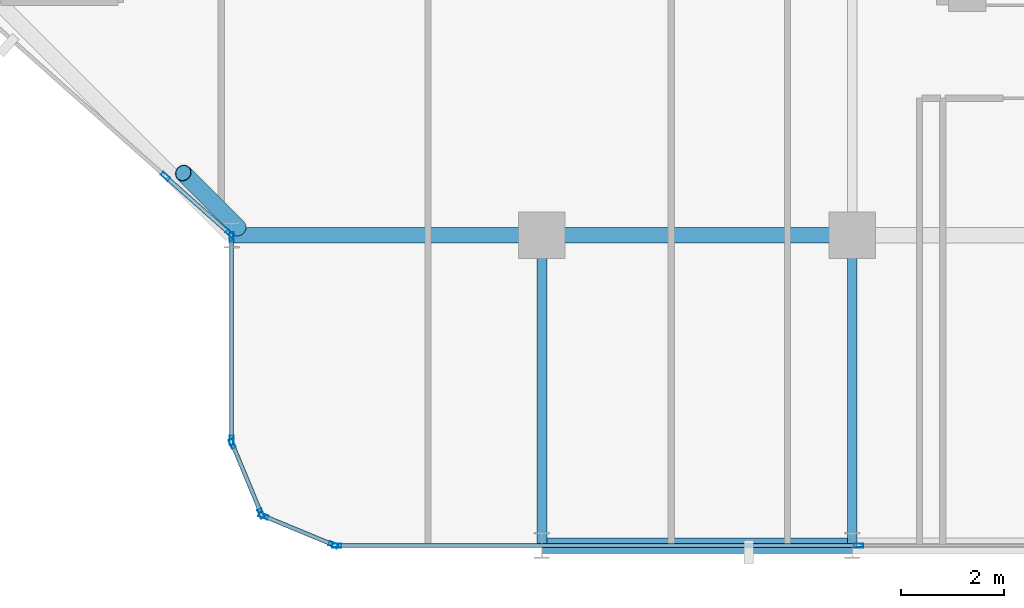
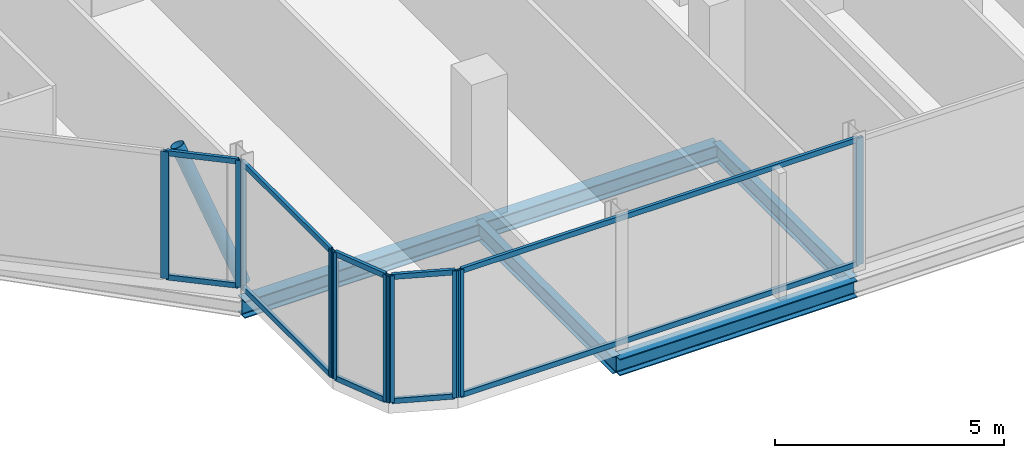
# One storey, part 5 of 31: 21 members, 5 beams, 5 elements without a shape of their own.
"""IFC4 building model written with IfcOpenShell, lengths in metres."""

from ifc_helpers import new_model, si_unit, direction, frame, origin, origin_2d, place, context, subcontext, project, spatial, hollow_rectangle, hollow_circle, i_section, extrude, material, layer, layer_set, material_profile, profile_set, type_object, element, aggregate, save


model = new_model("IFC4")

# Units and contexts
model_context = context("Model", 3, precision=1e-05, world=origin(), true_north=direction((0.0, 1.0)))
body_context = subcontext(model_context, "Body", "Model", "MODEL_VIEW")
ifc_project = project(units=[si_unit("LENGTHUNIT", "METRE"), si_unit("AREAUNIT", "SQUARE_METRE"), si_unit("VOLUMEUNIT", "CUBIC_METRE"), si_unit("PLANEANGLEUNIT", "RADIAN"), si_unit("MASSUNIT", "GRAM", prefix="KILO")], contexts=[model_context])

# Site, building, storey
site_placement = place(None, origin())
site = spatial("IfcSite", under=ifc_project, at=site_placement, CompositionType="ELEMENT")
building_placement = place(site_placement, origin())
building = spatial("IfcBuilding", under=site, at=building_placement, Name="Keshet Zoharim Tower", CompositionType="ELEMENT")
storey_placement = place(building_placement, frame((0.0, 0.0, 140.89990234375)))
storey = spatial("IfcBuildingStorey", under=building, at=storey_placement, Name="L34", CompositionType="ELEMENT", Elevation=140.89990234375)

# Beams
ifc_material_1 = material(Name="Steel S355", Category="steel")
ifc_material_profile_1 = material_profile(ifc_material_1, i_section(OverallWidth=0.18994140625, OverallDepth=0.449951171875, WebThickness=0.009521484375, FlangeThickness=0.0146484375, FilletRadius=0.02099609375, at=origin_2d()), Name="IPE450")
ifc_profile_set_1 = profile_set([ifc_material_profile_1], Name="Steel S355")
beam_type_1 = type_object("IfcBeamType", Name="BM-PRI-IP450", PredefinedType="BEAM", material=ifc_profile_set_1)
for number, where, z_axis, x_axis, name in (
    (1, (27.0, 0.699951171875, -0.539794921875), (0.0, 1.0, 0.0), (-1.0, 0.0, 0.0), "L34 Primary Girder Y-004"),
    (2, (33.0, 0.699951171875, -0.539794921875), (0.0, 1.0, 0.0), (-1.0, 0.0, 0.0), "L34 Primary Girder Y-005"),
):
    element("IfcBeam", number, at=place(storey_placement, frame(where, z_axis=z_axis, x_axis=x_axis)), inside=storey, type_object=beam_type_1, Name=name, PredefinedType="BEAM", context=body_context, shape_type="SweptSolid", body=[
        extrude(i_section(OverallWidth=0.18994140625, OverallDepth=0.449951171875, WebThickness=0.009521484375, FlangeThickness=0.0146484375, FilletRadius=0.02099609375, at=origin_2d()), origin(), (0.0, 0.0, 1.0), 6.0),
    ])
ifc_material_profile_2 = material_profile(ifc_material_1, i_section(OverallWidth=0.300048828125, OverallDepth=0.449951171875, WebThickness=0.013916015625, FlangeThickness=0.02587890625, FilletRadius=0.027099609375, at=origin_2d()), Name="HEB450")
ifc_profile_set_2 = profile_set([ifc_material_profile_2], Name="Steel S355")
beam_type_2 = type_object("IfcBeamType", Name="BM-WEB-HB450", PredefinedType="BEAM", material=ifc_profile_set_2)
for number, where, z_axis, x_axis, name in (
    (3, (27.0, 0.699951171875, -0.539794921875), (1.0, 0.0, 0.0), (0.0, 1.0, 0.0), "L34 Primary Girder X-001"),
    (4, (21.0, 6.699951171875, -0.539794921875), (1.0, 0.0, 0.0), (0.0, 1.0, 0.0), "L34 Primary Girder X-005"),
    (5, (27.0, 6.699951171875, -0.539794921875), (1.0, 0.0, 0.0), (0.0, 1.0, 0.0), "L34 Primary Girder X-006"),
):
    element("IfcBeam", number, at=place(storey_placement, frame(where, z_axis=z_axis, x_axis=x_axis)), inside=storey, type_object=beam_type_2, Name=name, PredefinedType="BEAM", context=body_context, shape_type="SweptSolid", body=[
        extrude(i_section(OverallWidth=0.300048828125, OverallDepth=0.449951171875, WebThickness=0.013916015625, FlangeThickness=0.02587890625, FilletRadius=0.027099609375, at=origin_2d()), origin(), (0.0, 0.0, 1.0), 6.0),
    ])

# Curtain wall, members
ifc_material_2 = material(Name="Aluminium 6063-T6", Category="aluminium")
ifc_layer = layer(ifc_material_2, 0.159912109375)
ifc_layer_set = layer_set([ifc_layer], Name="Aluminium 6063-T6")
curtain_wall_type = type_object("IfcCurtainWallType", Name="CW-SYS-03", PredefinedType="NOTDEFINED", material=ifc_layer_set)
curtain_wall_1_placement = place(storey_placement, origin())
curtain_wall_1 = element("IfcCurtainWall", 6, at=curtain_wall_1_placement, inside=storey, type_object=curtain_wall_type, Name="L34 Unitised Curtain Wall 03 Part 3", PredefinedType="NOTDEFINED")
ifc_material_profile_3 = material_profile(ifc_material_2, hollow_rectangle(XDim=0.080078125, YDim=0.179931640625, WallThickness=0.00439453125, at=origin_2d()), Name="MUL-80x180")
ifc_profile_set_3 = profile_set([ifc_material_profile_3], Name="Aluminium 6063-T6")
member_type_1 = type_object("IfcMemberType", Name="CWM-M18", PredefinedType="MULLION", material=ifc_profile_set_3)
member_1_placement = place(storey_placement, frame((33.1259765625, 0.699951171875, 0.0), z_axis=(0.0, 0.0, 1.0), x_axis=(0.0, -1.0, 0.0)))
member_1 = element("IfcMember", 7, at=member_1_placement, type_object=member_type_1, Name="CW-03 mullion 2", PredefinedType="MULLION", context=body_context, shape_type="SweptSolid", body=[
    extrude(hollow_rectangle(XDim=0.080078125, YDim=0.179931640625, WallThickness=0.00439453125, at=origin_2d()), origin(), (0.0, 0.0, 1.0), 3.385009765625),
])
member_2_placement = place(storey_placement, frame((23.034912109375, 0.699951171875, 0.0), z_axis=(0.0, 0.0, 1.0), x_axis=(0.0, -1.0, 0.0)))
member_2 = element("IfcMember", 8, at=member_2_placement, type_object=member_type_1, Name="CW-03 mullion 3", PredefinedType="MULLION", context=body_context, shape_type="SweptSolid", body=[
    extrude(hollow_rectangle(XDim=0.080078125, YDim=0.179931640625, WallThickness=0.00439453125, at=origin_2d()), origin(), (0.0, 0.0, 1.0), 3.385009765625),
])

curtain_wall_2_placement = place(storey_placement, origin())
curtain_wall_2 = element("IfcCurtainWall", 9, at=curtain_wall_2_placement, inside=storey, type_object=curtain_wall_type, Name="L34 Unitised Curtain Wall 04", PredefinedType="NOTDEFINED")
member_3_placement = place(storey_placement, frame((22.9677734375, 0.71337890625, 0.0), z_axis=(0.0, 0.0, 1.0), x_axis=(-0.382851849847, -0.92380975372, 0.0)))
member_3 = element("IfcMember", 10, at=member_3_placement, type_object=member_type_1, Name="CW-03 mullion 1", PredefinedType="MULLION", context=body_context, shape_type="SweptSolid", body=[
    extrude(hollow_rectangle(XDim=0.080078125, YDim=0.179931640625, WallThickness=0.00439453125, at=origin_2d()), origin(), (0.0, 0.0, 1.0), 3.385009765625),
])
member_4_placement = place(storey_placement, frame((21.618408203125, 1.272705078125, 0.0), z_axis=(0.0, 0.0, 1.0), x_axis=(-0.382851849847, -0.92380975372, 0.0)))
member_4 = element("IfcMember", 11, at=member_4_placement, type_object=member_type_1, Name="CW-03 mullion 2", PredefinedType="MULLION", context=body_context, shape_type="SweptSolid", body=[
    extrude(hollow_rectangle(XDim=0.080078125, YDim=0.179931640625, WallThickness=0.00439453125, at=origin_2d()), origin(), (0.0, 0.0, 1.0), 3.385009765625),
])

curtain_wall_3_placement = place(storey_placement, origin())
curtain_wall_3 = element("IfcCurtainWall", 12, at=curtain_wall_3_placement, inside=storey, type_object=curtain_wall_type, Name="L34 Unitised Curtain Wall 05", PredefinedType="NOTDEFINED")
member_5_placement = place(storey_placement, frame((21.572509765625, 1.318359375, 0.0), z_axis=(0.0, 0.0, 1.0), x_axis=(-0.92380975372, -0.382851849847, 0.0)))
member_5 = element("IfcMember", 13, at=member_5_placement, type_object=member_type_1, Name="CW-03 mullion 1", PredefinedType="MULLION", context=body_context, shape_type="SweptSolid", body=[
    extrude(hollow_rectangle(XDim=0.080078125, YDim=0.179931640625, WallThickness=0.00439453125, at=origin_2d()), origin(), (0.0, 0.0, 1.0), 3.385009765625),
])
member_6_placement = place(storey_placement, frame((21.013427734375, 2.667724609375, 0.0), z_axis=(0.0, 0.0, 1.0), x_axis=(-0.92380975372, -0.382851849847, 0.0)))
member_6 = element("IfcMember", 14, at=member_6_placement, type_object=member_type_1, Name="CW-03 mullion 2", PredefinedType="MULLION", context=body_context, shape_type="SweptSolid", body=[
    extrude(hollow_rectangle(XDim=0.080078125, YDim=0.179931640625, WallThickness=0.00439453125, at=origin_2d()), origin(), (0.0, 0.0, 1.0), 3.385009765625),
])

curtain_wall_4_placement = place(storey_placement, origin())
curtain_wall_4 = element("IfcCurtainWall", 15, at=curtain_wall_4_placement, inside=storey, type_object=curtain_wall_type, Name="L34 Unitised Curtain Wall 06", PredefinedType="NOTDEFINED")
member_7_placement = place(storey_placement, frame((21.0, 2.735107421875, 0.0), z_axis=(0.0, 0.0, 1.0), x_axis=(-1.0, 0.0, 0.0)))
member_7 = element("IfcMember", 16, at=member_7_placement, type_object=member_type_1, Name="CW-03 mullion 1", PredefinedType="MULLION", context=body_context, shape_type="SweptSolid", body=[
    extrude(hollow_rectangle(XDim=0.080078125, YDim=0.179931640625, WallThickness=0.00439453125, at=origin_2d()), origin(), (0.0, 0.0, 1.0), 3.385009765625),
])
member_8_placement = place(storey_placement, frame((21.0, 6.6650390625, 0.0), z_axis=(0.0, 0.0, 1.0), x_axis=(-1.0, 0.0, 0.0)))
member_8 = element("IfcMember", 17, at=member_8_placement, type_object=member_type_1, Name="CW-03 mullion 2", PredefinedType="MULLION", context=body_context, shape_type="SweptSolid", body=[
    extrude(hollow_rectangle(XDim=0.080078125, YDim=0.179931640625, WallThickness=0.00439453125, at=origin_2d()), origin(), (0.0, 0.0, 1.0), 3.385009765625),
])

curtain_wall_5_placement = place(storey_placement, origin())
curtain_wall_5 = element("IfcCurtainWall", 18, at=curtain_wall_5_placement, inside=storey, type_object=curtain_wall_type, Name="L34 Unitised Curtain Wall 07", PredefinedType="NOTDEFINED")
member_9_placement = place(storey_placement, frame((20.973876953125, 6.72314453125, 0.0), z_axis=(0.0, 0.0, 1.0), x_axis=(-0.664367393393, -0.747406159057, 0.0)))
member_9 = element("IfcMember", 19, at=member_9_placement, type_object=member_type_1, Name="CW-03 mullion 1", PredefinedType="MULLION", context=body_context, shape_type="SweptSolid", body=[
    extrude(hollow_rectangle(XDim=0.080078125, YDim=0.179931640625, WallThickness=0.00439453125, at=origin_2d()), origin(), (0.0, 0.0, 1.0), 3.385009765625),
])
member_10_placement = place(storey_placement, frame((19.720947265625, 7.8369140625, 0.0), z_axis=(0.0, 0.0, 1.0), x_axis=(-0.664367393393, -0.747406159057, 0.0)))
member_10 = element("IfcMember", 20, at=member_10_placement, type_object=member_type_1, Name="CW-03 mullion 2", PredefinedType="MULLION", context=body_context, shape_type="SweptSolid", body=[
    extrude(hollow_rectangle(XDim=0.080078125, YDim=0.179931640625, WallThickness=0.00439453125, at=origin_2d()), origin(), (0.0, 0.0, 1.0), 3.385009765625),
])

# Member
ifc_material_profile_4 = material_profile(ifc_material_2, hollow_rectangle(XDim=0.080078125, YDim=0.139892578125, WallThickness=0.00390625, at=origin_2d()), Name="TRN-80x140")
ifc_profile_set_4 = profile_set([ifc_material_profile_4], Name="Aluminium 6063-T6")
member_type_2 = type_object("IfcMemberType", Name="CWT-T14", PredefinedType="USERDEFINED", material=ifc_profile_set_4)
member_11_placement = place(storey_placement, frame((33.091064453125, 0.699951171875, 0.03515625), z_axis=(-1.0, 0.0, 0.0), x_axis=(0.0, -1.0, 0.0)))
member_11 = element("IfcMember", 21, at=member_11_placement, type_object=member_type_2, Name="CW-03 transom 2.1", ObjectType="TRANSOM", PredefinedType="USERDEFINED", context=body_context, shape_type="SweptSolid", body=[
    extrude(hollow_rectangle(XDim=0.080078125, YDim=0.139892578125, WallThickness=0.00390625, at=origin_2d()), origin(), (0.0, 0.0, 1.0), 10.02099609375),
])

member_12_placement = place(storey_placement, frame((33.091064453125, 0.699951171875, 3.35009765625), z_axis=(-1.0, 0.0, 0.0), x_axis=(0.0, -1.0, 0.0)))
member_12 = element("IfcMember", 22, at=member_12_placement, type_object=member_type_2, Name="CW-03 transom 2.2", ObjectType="TRANSOM", PredefinedType="USERDEFINED", context=body_context, shape_type="SweptSolid", body=[
    extrude(hollow_rectangle(XDim=0.080078125, YDim=0.139892578125, WallThickness=0.00390625, at=origin_2d()), origin(), (0.0, 0.0, 1.0), 10.02099609375),
])

aggregate(curtain_wall_1, [member_1, member_2, member_11, member_12])

member_13_placement = place(storey_placement, frame((22.935302734375, 0.726806640625, 0.03515625), z_axis=(-0.92379209995, 0.382894445076, 0.0), x_axis=(-0.382894445076, -0.92379209995, 0.0)))
member_13 = element("IfcMember", 23, at=member_13_placement, type_object=member_type_2, Name="CW-03 transom 1.1", ObjectType="TRANSOM", PredefinedType="USERDEFINED", context=body_context, shape_type="SweptSolid", body=[
    extrude(hollow_rectangle(XDim=0.080078125, YDim=0.139892578125, WallThickness=0.00390625, at=origin_2d()), origin(), (0.0, 0.0, 1.0), 1.390625),
])

member_14_placement = place(storey_placement, frame((22.935302734375, 0.726806640625, 3.35009765625), z_axis=(-0.92379209995, 0.382894445076, 0.0), x_axis=(-0.382894445076, -0.92379209995, 0.0)))
member_14 = element("IfcMember", 24, at=member_14_placement, type_object=member_type_2, Name="CW-03 transom 1.2", ObjectType="TRANSOM", PredefinedType="USERDEFINED", context=body_context, shape_type="SweptSolid", body=[
    extrude(hollow_rectangle(XDim=0.080078125, YDim=0.139892578125, WallThickness=0.00390625, at=origin_2d()), origin(), (0.0, 0.0, 1.0), 1.390625),
])

aggregate(curtain_wall_2, [member_3, member_4, member_13, member_14])

member_15_placement = place(storey_placement, frame((21.55908203125, 1.3505859375, 0.03515625), z_axis=(-0.382744609247, 0.923854189844, 0.0), x_axis=(-0.923854189844, -0.382744609247, 0.0)))
member_15 = element("IfcMember", 25, at=member_15_placement, type_object=member_type_2, Name="CW-03 transom 1.1", ObjectType="TRANSOM", PredefinedType="USERDEFINED", context=body_context, shape_type="SweptSolid", body=[
    extrude(hollow_rectangle(XDim=0.080078125, YDim=0.139892578125, WallThickness=0.00390625, at=origin_2d()), origin(), (0.0, 0.0, 1.0), 1.390625),
])

member_16_placement = place(storey_placement, frame((21.55908203125, 1.3505859375, 3.35009765625), z_axis=(-0.382744609247, 0.923854189844, 0.0), x_axis=(-0.923854189844, -0.382744609247, 0.0)))
member_16 = element("IfcMember", 26, at=member_16_placement, type_object=member_type_2, Name="CW-03 transom 1.2", ObjectType="TRANSOM", PredefinedType="USERDEFINED", context=body_context, shape_type="SweptSolid", body=[
    extrude(hollow_rectangle(XDim=0.080078125, YDim=0.139892578125, WallThickness=0.00390625, at=origin_2d()), origin(), (0.0, 0.0, 1.0), 1.390625),
])

aggregate(curtain_wall_3, [member_5, member_6, member_15, member_16])

member_17_placement = place(storey_placement, frame((21.0, 2.77001953125, 0.03515625), z_axis=(0.0, 1.0, 0.0), x_axis=(-1.0, 0.0, 0.0)))
member_17 = element("IfcMember", 27, at=member_17_placement, type_object=member_type_2, Name="CW-03 transom 1.1", ObjectType="TRANSOM", PredefinedType="USERDEFINED", context=body_context, shape_type="SweptSolid", body=[
    extrude(hollow_rectangle(XDim=0.080078125, YDim=0.139892578125, WallThickness=0.00390625, at=origin_2d()), origin(), (0.0, 0.0, 1.0), 3.85986328125),
])

member_18_placement = place(storey_placement, frame((21.0, 2.77001953125, 3.35009765625), z_axis=(0.0, 1.0, 0.0), x_axis=(-1.0, 0.0, 0.0)))
member_18 = element("IfcMember", 28, at=member_18_placement, type_object=member_type_2, Name="CW-03 transom 1.2", ObjectType="TRANSOM", PredefinedType="USERDEFINED", context=body_context, shape_type="SweptSolid", body=[
    extrude(hollow_rectangle(XDim=0.080078125, YDim=0.139892578125, WallThickness=0.00390625, at=origin_2d()), origin(), (0.0, 0.0, 1.0), 3.85986328125),
])

aggregate(curtain_wall_4, [member_7, member_8, member_17, member_18])

member_19_placement = place(storey_placement, frame((20.94775390625, 6.74658203125, 0.03515625), z_axis=(-0.747459638873, 0.664307224299, 0.0), x_axis=(-0.664307224299, -0.747459638873, 0.0)))
member_19 = element("IfcMember", 29, at=member_19_placement, type_object=member_type_2, Name="CW-03 transom 1.1", ObjectType="TRANSOM", PredefinedType="USERDEFINED", context=body_context, shape_type="SweptSolid", body=[
    extrude(hollow_rectangle(XDim=0.080078125, YDim=0.139892578125, WallThickness=0.00390625, at=origin_2d()), origin(), (0.0, 0.0, 1.0), 1.60595703125),
])

member_20_placement = place(storey_placement, frame((20.94775390625, 6.74658203125, 3.35009765625), z_axis=(-0.747459638873, 0.664307224299, 0.0), x_axis=(-0.664307224299, -0.747459638873, 0.0)))
member_20 = element("IfcMember", 30, at=member_20_placement, type_object=member_type_2, Name="CW-03 transom 1.2", ObjectType="TRANSOM", PredefinedType="USERDEFINED", context=body_context, shape_type="SweptSolid", body=[
    extrude(hollow_rectangle(XDim=0.080078125, YDim=0.139892578125, WallThickness=0.00390625, at=origin_2d()), origin(), (0.0, 0.0, 1.0), 1.60595703125),
])

aggregate(curtain_wall_5, [member_9, member_10, member_19, member_20])

ifc_material_profile_5 = material_profile(ifc_material_1, hollow_circle(Radius=0.161865234375, WallThickness=0.012451171875, at=origin_2d()), Name="CHS323x12.5")
ifc_profile_set_5 = profile_set([ifc_material_profile_5], Name="Steel S355")
member_type_3 = type_object("IfcMemberType", Name="MB-BR-C323", PredefinedType="BRACE", material=ifc_profile_set_5)
member_21_placement = place(storey_placement, frame((21.1259765625, 6.842041015625, 0.0), z_axis=(-0.286558246199, 0.286558246199, 0.914203884848), x_axis=(-0.707106781187, -0.707106781187, 0.0)))
element("IfcMember", 31, at=member_21_placement, inside=storey, type_object=member_type_3, Name="L34 Perimeter Tube Brace 01", PredefinedType="BRACE", context=body_context, shape_type="SweptSolid", body=[
    extrude(hollow_circle(Radius=0.161865234375, WallThickness=0.012451171875, at=origin_2d()), origin(), (0.0, 0.0, 1.0), 3.70263671875),
])

save(model, "model.ifc")
